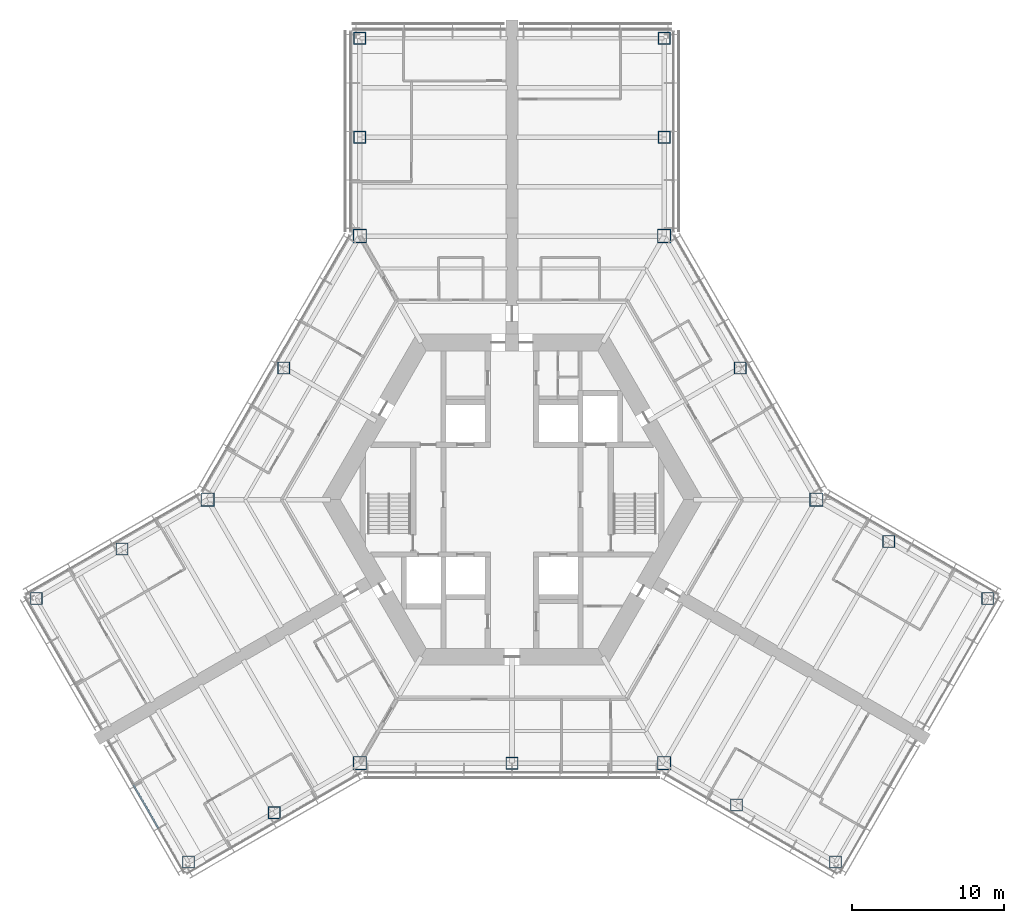
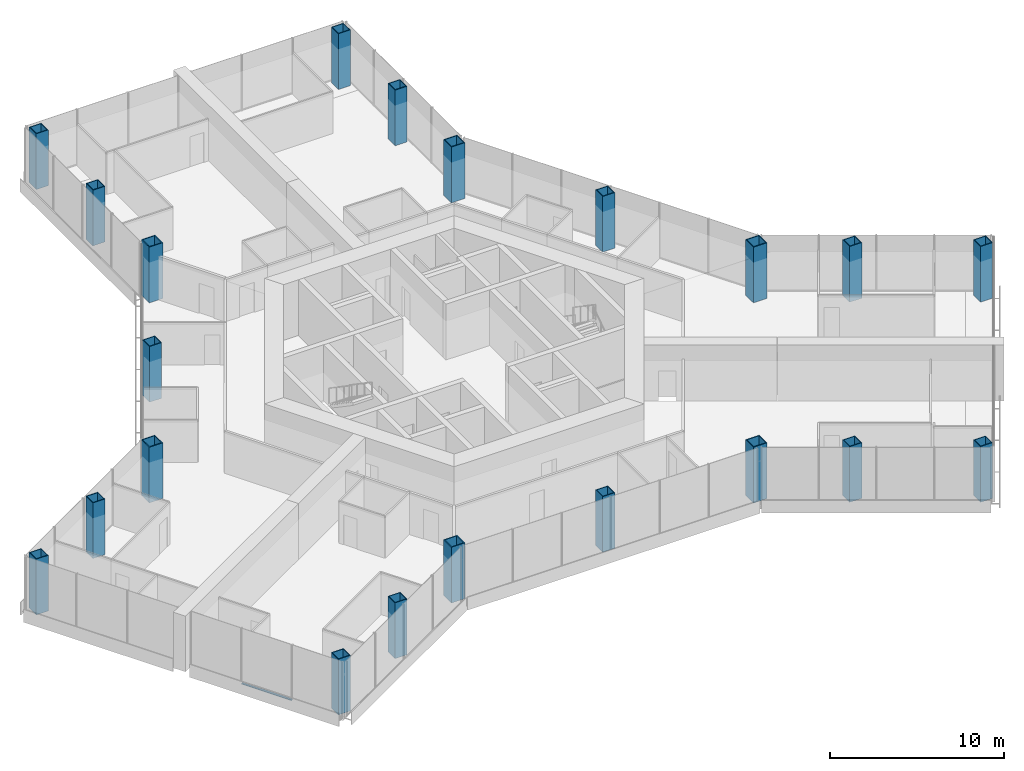
# One storey, part 1 of 18: 21 columns, 1 member, 1 element without a shape of its own.
"""IFC4 building model written with IfcOpenShell, lengths in metres."""

from ifc_helpers import new_model, si_unit, direction, frame, origin, origin_2d, place, context, subcontext, project, spatial, rectangle, hollow_rectangle, extrude, material, material_profile, profile_set, type_object, element, aggregate, save


model = new_model("IFC4")

# Units and contexts
model_context = context("Model", 3, precision=1e-05, world=origin(), true_north=direction((0.0, 1.0)))
body_context = subcontext(model_context, "Body", "Model", "MODEL_VIEW")
ifc_project = project(units=[si_unit("LENGTHUNIT", "METRE"), si_unit("AREAUNIT", "SQUARE_METRE"), si_unit("VOLUMEUNIT", "CUBIC_METRE"), si_unit("PLANEANGLEUNIT", "RADIAN"), si_unit("MASSUNIT", "GRAM", prefix="KILO")], contexts=[model_context])

# Site, building, storey
site_placement = place(None, origin())
site = spatial("IfcSite", under=ifc_project, at=site_placement, CompositionType="ELEMENT")
building_placement = place(site_placement, origin())
building = spatial("IfcBuilding", under=site, at=building_placement, Name="Kasaneha Research Tower", CompositionType="ELEMENT")
storey_placement = place(building_placement, frame((0.0, 0.0, 108.0)))
storey = spatial("IfcBuildingStorey", under=building, at=storey_placement, Name="L27", CompositionType="ELEMENT", Elevation=108.0)

# Columns
ifc_material_1 = material(Name="Steel SN490C", Category="steel")
ifc_material_profile_1 = material_profile(ifc_material_1, hollow_rectangle(XDim=0.89990234375, YDim=0.89990234375, WallThickness=0.054931640625, at=origin_2d()), Name="BOX-900x900x55")
ifc_profile_set_1 = profile_set([ifc_material_profile_1], Name="Steel SN490C")
column_type_1 = type_object("IfcColumnType", Name="C2A column BOX-900x900x55", PredefinedType="COLUMN", material=ifc_profile_set_1)
for number, where, z_axis, x_axis, name in (
    (1, (20.0, 0.0, 0.0), (0.0, 0.0, 1.0), (1.0, 0.0, 0.0), "Column V0 L27"),
    (2, (10.0, 17.320556640625, 0.0), (0.0, 0.0, 1.0), (1.0, 0.0, 0.0), "Column V1 L27"),
    (3, (-10.0, 17.320556640625, 0.0), (0.0, 0.0, 1.0), (1.0, 0.0, 0.0), "Column V2 L27"),
    (4, (-20.0, 0.0, 0.0), (0.0, 0.0, 1.0), (1.0, 0.0, 0.0), "Column V3 L27"),
    (5, (-10.0, -17.320556640625, 0.0), (0.0, 0.0, 1.0), (1.0, 0.0, 0.0), "Column V4 L27"),
    (6, (10.0, -17.320556640625, 0.0), (0.0, 0.0, 1.0), (1.0, 0.0, 0.0), "Column V5 L27"),
):
    element("IfcColumn", number, at=place(storey_placement, frame(where, z_axis=z_axis, x_axis=x_axis)), inside=storey, type_object=column_type_1, Name=name, PredefinedType="COLUMN", context=body_context, shape_type="SweptSolid", body=[
        extrude(hollow_rectangle(XDim=0.89990234375, YDim=0.89990234375, WallThickness=0.054931640625, at=origin_2d()), origin(), (0.0, 0.0, 1.0), 3.89990234375),
    ])
ifc_material_2 = material(Name="Steel SN490C", Category="steel")
ifc_material_profile_2 = material_profile(ifc_material_2, hollow_rectangle(XDim=0.800048828125, YDim=0.800048828125, WallThickness=0.044921875, at=origin_2d()), Name="BOX-800x800x45")
ifc_profile_set_2 = profile_set([ifc_material_profile_2], Name="Steel SN490C")
column_type_2 = type_object("IfcColumnType", Name="C2B column BOX-800x800x45", PredefinedType="COLUMN", material=ifc_profile_set_2)
for number, where, z_axis, x_axis, name in (
    (7, (15.0, 8.66015625, 0.0), (0.0, 0.0, 1.0), (1.0, 0.0, 0.0), "Column M030 L27"),
    (8, (-15.0, 8.66015625, 0.0), (0.0, 0.0, 1.0), (1.0, 0.0, 0.0), "Column M150 L27"),
    (9, (0.0, -17.320556640625, 0.0), (0.0, 0.0, 1.0), (1.0, 0.0, 0.0), "Column M270 L27"),
    (10, (10.0, 23.820556640625, 0.0), (0.0, 0.0, 1.0), (1.0, 0.0, 0.0), "Column ASP L27"),
    (11, (10.0, 30.320556640625, 0.0), (0.0, 0.0, 1.0), (1.0, 0.0, 0.0), "Column ATP L27"),
    (12, (-10.0, 23.820556640625, 0.0), (0.0, 0.0, 1.0), (1.0, 0.0, 0.0), "Column ASN L27"),
    (13, (-10.0, 30.320556640625, 0.0), (0.0, 0.0, 1.0), (1.0, 0.0, 0.0), "Column ATN L27"),
    (14, (-25.629150390625, -3.25, 0.0), (0.0, 0.0, 1.0), (1.0, 0.0, 0.0), "Column BSP L27"),
    (15, (-31.25830078125, -6.5, 0.0), (0.0, 0.0, 1.0), (1.0, 0.0, 0.0), "Column BTP L27"),
    (16, (-15.629150390625, -20.570556640625, 0.0), (0.0, 0.0, 1.0), (1.0, 0.0, 0.0), "Column BSN L27"),
    (17, (-21.25830078125, -23.820556640625, 0.0), (0.0, 0.0, 1.0), (1.0, 0.0, 0.0), "Column BTN L27"),
    (18, (14.76318359375, -20.070556640625, 0.0), (0.0, 0.0, 1.0), (1.0, 0.0, 0.0), "Column CSP L27"),
    (19, (21.25830078125, -23.820556640625, 0.0), (0.0, 0.0, 1.0), (1.0, 0.0, 0.0), "Column CTP L27"),
    (20, (24.76318359375, -2.75, 0.0), (0.0, 0.0, 1.0), (1.0, 0.0, 0.0), "Column CSN L27"),
    (21, (31.25830078125, -6.5, 0.0), (0.0, 0.0, 1.0), (1.0, 0.0, 0.0), "Column CTN L27"),
):
    element("IfcColumn", number, at=place(storey_placement, frame(where, z_axis=z_axis, x_axis=x_axis)), inside=storey, type_object=column_type_2, Name=name, PredefinedType="COLUMN", context=body_context, shape_type="SweptSolid", body=[
        extrude(hollow_rectangle(XDim=0.800048828125, YDim=0.800048828125, WallThickness=0.044921875, at=origin_2d()), origin(), (0.0, 0.0, 1.0), 3.89990234375),
    ])

# Curtain wall, member
ifc_material_3 = material(Name="Glass and aluminium", Category="aluminium")
curtain_wall_type = type_object("IfcCurtainWallType", Name="Low-rise office curtain wall", PredefinedType="USERDEFINED", material=ifc_material_3)
curtain_wall_placement = place(storey_placement, origin())
curtain_wall = element("IfcCurtainWall", 22, at=curtain_wall_placement, inside=storey, type_object=curtain_wall_type, Name="CW-O1 L27 run 15a", ObjectType="UNITISED CURTAIN WALL", PredefinedType="USERDEFINED")
ifc_material_4 = material(Name="Aluminium 6063-T6", Category="aluminium")
ifc_material_profile_3 = material_profile(ifc_material_4, rectangle(XDim=0.1201171875, YDim=0.06005859375, at=origin_2d()), Name="CW-O1 transom 120x60")
ifc_profile_set_3 = profile_set([ifc_material_profile_3], Name="Aluminium 6063-T6")
member_type = type_object("IfcMemberType", Name="CW-O1 transom", PredefinedType="USERDEFINED", material=ifc_profile_set_3)
member_placement = place(storey_placement, frame((-24.879638671875, -18.748291015625, 0.030029296875), z_axis=(0.500014325468, -0.866017132814, 0.0), x_axis=(0.866017132814, 0.500014325468, 0.0)))
member = element("IfcMember", 23, at=member_placement, type_object=member_type, Name="CW-O1 transom 2", ObjectType="TRANSOM", PredefinedType="USERDEFINED", context=body_context, shape_type="SweptSolid", body=[
    extrude(rectangle(XDim=0.1201171875, YDim=0.06005859375, at=origin_2d()), origin(), (0.0, 0.0, 1.0), 3.306640625),
])
aggregate(curtain_wall, [member])

save(model, "model.ifc")
